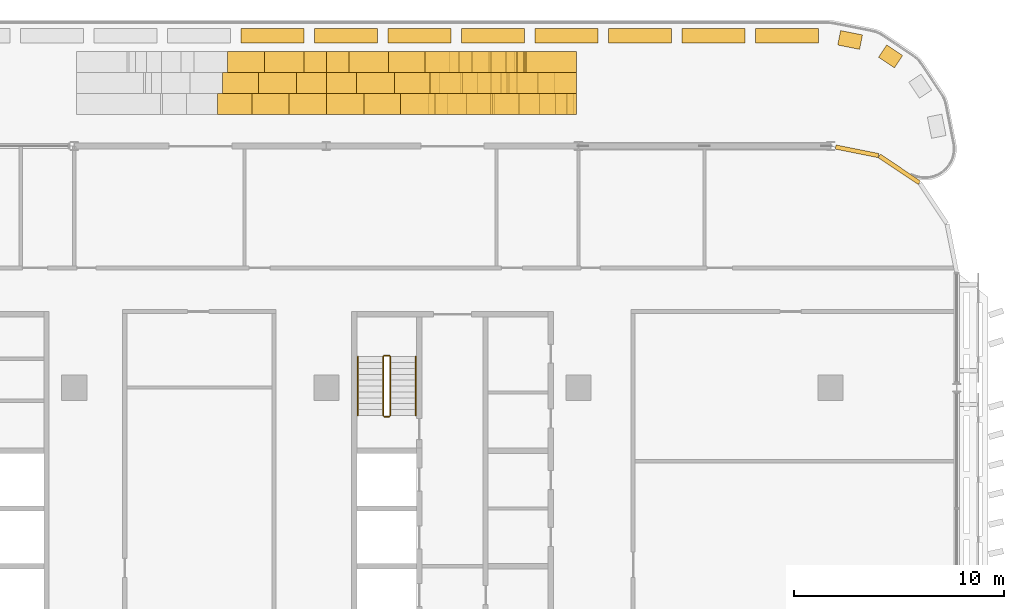
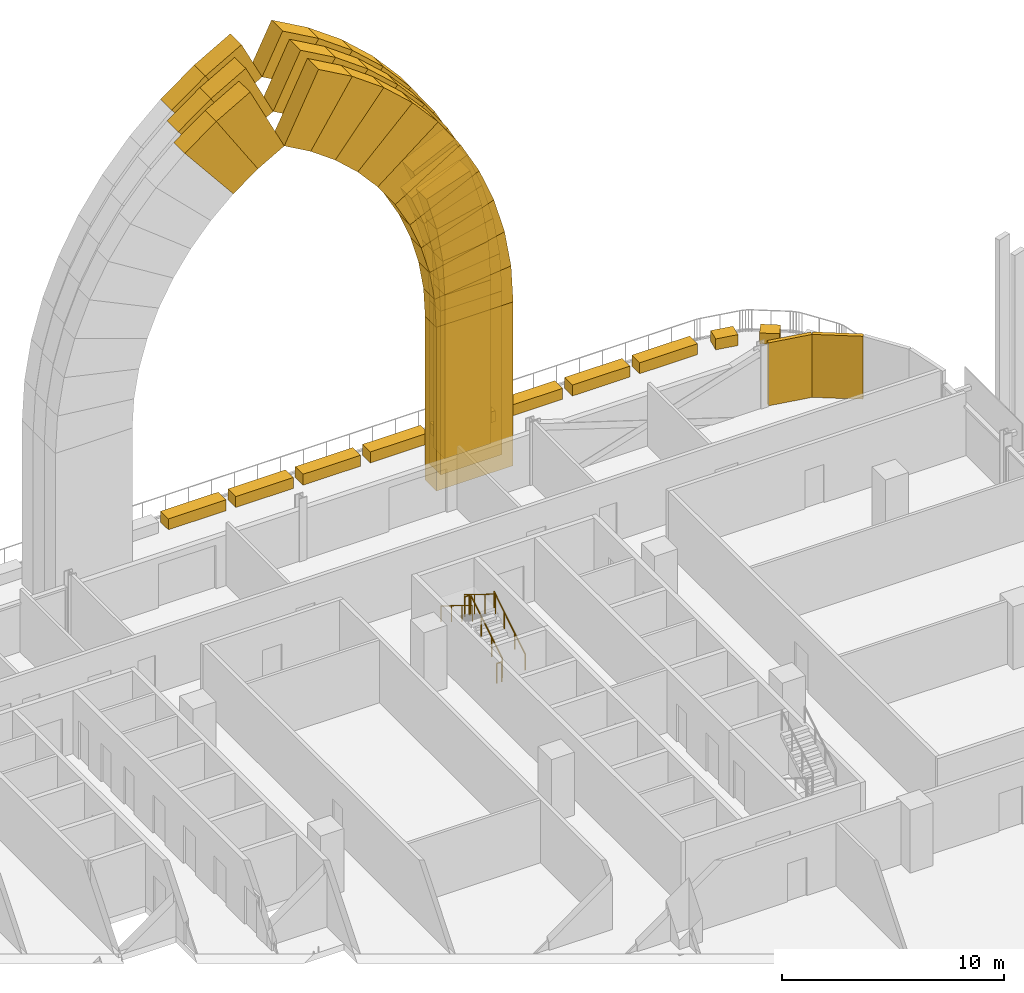
# One storey, part 29 of 30: 51 coverings, 6 railings.
"""IFC4 building model written with IfcOpenShell, lengths in metres."""

import ifcopenshell
import ifcopenshell.guid

model = None  # the IFC model being written
_history = None  # IfcOwnerHistory: only IFC2X3 demands one
_inside = {}  # id of a spatial element -> (the spatial element, [elements in it])
_under = {}  # id of a project, library or spatial element -> (it, [spatial elements below it])
_declared = {}  # id of a project -> (the project, [libraries it declares])
_typed = {}  # id of a type object -> (the type object, [elements of that type])
_made_of = {}  # id of a material, layer set ... -> (it, [elements and type objects made of it])


def new_model(schema):
    """Start an empty IFC model of exactly this schema.

    Asked for "IFC4X3", IfcOpenShell would pick the latest addendum, in which some entities
    have other attributes; the version numbers below select the first issue.
    IFC2X3 requires an IfcOwnerHistory on every rooted entity: one is made here for all.
    """
    global model, _history
    if schema == "IFC4X3":
        model = ifcopenshell.file(schema_version=(4, 3, 0, 0))
    else:
        model = ifcopenshell.file(schema=schema)
    _inside.clear()
    _under.clear()
    _declared.clear()
    _typed.clear()
    _made_of.clear()
    _history = None
    if model.schema == "IFC2X3":
        org = make("IfcOrganization", Name="unknown")
        user = make(
            "IfcPersonAndOrganization",
            ThePerson=make("IfcPerson", FamilyName="unknown"),
            TheOrganization=org,
        )
        app = make(
            "IfcApplication",
            ApplicationDeveloper=org,
            Version="unknown",
            ApplicationFullName="unknown",
            ApplicationIdentifier="unknown",
        )
        _history = make(
            "IfcOwnerHistory",
            OwningUser=user,
            OwningApplication=app,
            ChangeAction="ADDED",
            CreationDate=0,
        )
    return model


def make(cls, **values):
    """One entity of the class cls with the attributes given. An attribute that is None is left unset."""
    return model.create_entity(
        cls, **{name: value for name, value in values.items() if value is not None}
    )


def rooted(cls, **values):
    """An entity with a GlobalId (a new one), such as an element, a storey or a relation."""
    return make(cls, GlobalId=ifcopenshell.guid.new(), OwnerHistory=_history, **values)


def si_unit(unit_type, name, prefix=None):
    """IfcSIUnit, for example si_unit("LENGTHUNIT", "METRE", prefix="MILLI")."""
    return make("IfcSIUnit", UnitType=unit_type, Prefix=prefix, Name=name)


def assignment(units):
    """IfcUnitAssignment: the units of a project."""
    return None if units is None else make("IfcUnitAssignment", Units=units)


def point(xyz):
    """IfcCartesianPoint."""
    return None if xyz is None else make("IfcCartesianPoint", Coordinates=xyz)


def direction(xyz):
    """IfcDirection."""
    return None if xyz is None else make("IfcDirection", DirectionRatios=xyz)


def frame(location, z_axis=None, x_axis=None):
    """IfcAxis2Placement3D, a coordinate frame: its origin and axes. An axis left out is left unset."""
    return make(
        "IfcAxis2Placement3D",
        Location=point(location),
        Axis=direction(z_axis),
        RefDirection=direction(x_axis),
    )


def frame_2d(location, x_axis=None):
    """IfcAxis2Placement2D, a coordinate frame in the plane: its origin and x axis."""
    return make(
        "IfcAxis2Placement2D", Location=point(location), RefDirection=direction(x_axis)
    )


def origin():
    """The frame at (0, 0, 0) with its axes left unset."""
    return frame((0.0, 0.0, 0.0))


def origin_2d():
    """The frame at (0, 0) in the plane with its x axis left unset."""
    return frame_2d((0.0, 0.0))


def place(relative_to, where):
    """IfcLocalPlacement: puts the frame where relative to a parent placement (None: the world)."""
    return make(
        "IfcLocalPlacement", PlacementRelTo=relative_to, RelativePlacement=where
    )


def context(
    kind, dimensions, precision=None, world=None, true_north=None, identifier=None
):
    """IfcGeometricRepresentationContext, for example the 3D "Model" context."""
    return make(
        "IfcGeometricRepresentationContext",
        ContextIdentifier=identifier,
        ContextType=kind,
        CoordinateSpaceDimension=dimensions,
        Precision=precision,
        WorldCoordinateSystem=world,
        TrueNorth=true_north,
    )


def subcontext(parent, identifier, kind, view, scale=None):
    """IfcGeometricRepresentationSubContext, for example "Body" below "Model"."""
    return make(
        "IfcGeometricRepresentationSubContext",
        ContextIdentifier=identifier,
        ContextType=kind,
        ParentContext=parent,
        TargetScale=scale,
        TargetView=view,
    )


def project(units=None, contexts=None):
    """IfcProject with its units and contexts."""
    return rooted(
        "IfcProject",
        Name="project",
        RepresentationContexts=contexts,
        UnitsInContext=assignment(units),
    )


def spatial(cls, under=None, at=None, **own):
    """A site, building, storey or space (cls), placed at a placement, below another one or the project."""
    s = rooted(cls, ObjectPlacement=at, **own)
    if under is not None:
        _under.setdefault(under.id(), (under, []))[1].append(s)
    return s


def polyline(points):
    """IfcPolyline through the points."""
    return make("IfcPolyline", Points=[point(p) for p in points])


def profile(cls, at=None, kind="AREA", **sizes):
    """A parametric profile (cls). Its sizes go by their IFC names, for example OverallWidth=200.0."""
    return make(cls, ProfileType=kind, Position=at, **sizes)


def rectangle(**sizes):
    """IfcRectangleProfileDef."""
    return profile("IfcRectangleProfileDef", **sizes)


def circle(**sizes):
    """IfcCircleProfileDef."""
    return profile("IfcCircleProfileDef", **sizes)


def outline(outer, holes=None, kind="AREA"):
    """IfcArbitraryClosedProfileDef: a profile drawn as a closed curve; with holes, ...WithVoids."""
    if holes is None:
        return make("IfcArbitraryClosedProfileDef", ProfileType=kind, OuterCurve=outer)
    return make(
        "IfcArbitraryProfileDefWithVoids",
        ProfileType=kind,
        OuterCurve=outer,
        InnerCurves=holes,
    )


def extrude(swept, where, along, depth):
    """IfcExtrudedAreaSolid: the profile swept, set in the frame where, extruded along a direction by depth."""
    return make(
        "IfcExtrudedAreaSolid",
        SweptArea=swept,
        Position=where,
        ExtrudedDirection=direction(along),
        Depth=depth,
    )


def shape(context_of_items, identifier, shape_type, items):
    """IfcShapeRepresentation: the items that make up one representation, for example the "Body"."""
    return make(
        "IfcShapeRepresentation",
        ContextOfItems=context_of_items,
        RepresentationIdentifier=identifier,
        RepresentationType=shape_type,
        Items=items,
    )


def material(Name=None, Category=None):
    """IfcMaterial."""
    return make("IfcMaterial", Name=Name, Category=Category)


def layer(
    of_material, thickness, ventilated=None, Name=None, Category=None, Priority=None
):
    """IfcMaterialLayer: one layer of a wall or slab, of a material (None: an air gap)."""
    return make(
        "IfcMaterialLayer",
        Material=of_material,
        LayerThickness=thickness,
        IsVentilated=ventilated,
        Name=Name,
        Category=Category,
        Priority=Priority,
    )


def layer_set(layers, Name=None):
    """IfcMaterialLayerSet."""
    return make("IfcMaterialLayerSet", MaterialLayers=layers, LayerSetName=Name)


def made_of(thing, what):
    """Note that an element or type object is made of a material, layer set ...; save() writes the relation."""
    if what is not None:
        _made_of.setdefault(what.id(), (what, []))[1].append(thing)
    return thing


def type_object(cls, material=None, **own):
    """A type object (cls), such as IfcWallType, which elements share."""
    return made_of(rooted(cls, **own), material)


def element(
    cls,
    number,
    at=None,
    inside=None,
    cuts=None,
    type_object=None,
    material=None,
    context=None,
    identifier="Body",
    shape_type=None,
    held_by="IfcProductDefinitionShape",
    body=None,
    shapes=None,
    **own,
):
    """One element of the class cls, such as IfcWall. Its Tag is "e" and its number.

    at: its placement. inside: the storey or other place that contains it. cuts: it is an
    opening in that element (IfcRelVoidsElement). A single representation is given by context,
    identifier, shape_type and body (its items); several are given by shapes. held_by: the class
    of the entity that holds the representations. save() writes the other relations.
    """
    e = rooted(cls, Tag="e%d" % number, ObjectPlacement=at, **own)
    if body is not None:
        shapes = [shape(context, identifier, shape_type, body)]
    if shapes is not None:
        e.Representation = make(held_by, Representations=shapes)
    if inside is not None:
        _inside.setdefault(inside.id(), (inside, []))[1].append(e)
    if cuts is not None:
        rooted(
            "IfcRelVoidsElement", RelatingBuildingElement=cuts, RelatedOpeningElement=e
        )
    if type_object is not None:
        _typed.setdefault(type_object.id(), (type_object, []))[1].append(e)
    return made_of(e, material)


def aggregate(whole, parts):
    """IfcRelAggregates: a whole, such as a stair, and the parts it consists of."""
    return rooted("IfcRelAggregates", RelatingObject=whole, RelatedObjects=parts)


def save(model, path):
    """Write the relations noted so far, then the file.

    IfcRelAggregates (storeys below a building ...), IfcRelContainedInSpatialStructure (elements
    in a storey), IfcRelDefinesByType, IfcRelAssociatesMaterial and IfcRelDeclares: one each for
    every whole, place, type object, material and project.
    """
    for whole, parts in _under.values():
        aggregate(whole, parts)
    for where, things in _inside.values():
        rooted(
            "IfcRelContainedInSpatialStructure",
            RelatedElements=things,
            RelatingStructure=where,
        )
    for kind, things in _typed.values():
        rooted("IfcRelDefinesByType", RelatedObjects=things, RelatingType=kind)
    for what, things in _made_of.values():
        rooted("IfcRelAssociatesMaterial", RelatedObjects=things, RelatingMaterial=what)
    for by, libraries in _declared.values():
        rooted("IfcRelDeclares", RelatingContext=by, RelatedDefinitions=libraries)
    model.write(path)


model = new_model("IFC4")

# Units and contexts
model_context = context("Model", 3, precision=1e-05, world=origin(), true_north=direction((0.0, 1.0)))
body_context = subcontext(model_context, "Body", "Model", "MODEL_VIEW")
ifc_project = project(units=[si_unit("LENGTHUNIT", "METRE"), si_unit("AREAUNIT", "SQUARE_METRE"), si_unit("VOLUMEUNIT", "CUBIC_METRE"), si_unit("PLANEANGLEUNIT", "RADIAN"), si_unit("MASSUNIT", "GRAM", prefix="KILO")], contexts=[model_context])

# Site, building, storey
site_placement = place(None, origin())
site = spatial("IfcSite", under=ifc_project, at=site_placement, CompositionType="ELEMENT")
building_placement = place(site_placement, origin())
building = spatial("IfcBuilding", under=site, at=building_placement, Name="Mahtab Terrace Research Tower", CompositionType="ELEMENT")
storey_placement = place(building_placement, frame((0.0, 0.0, 159.199951171875)))
storey = spatial("IfcBuildingStorey", under=building, at=storey_placement, Name="L37", CompositionType="ELEMENT", Elevation=159.199951171875)

# Coverings
ifc_material_1 = material(Name="Black aluminium cladding panel", Category="aluminium")
ifc_layer_1 = layer(ifc_material_1, 0.199951171875)
ifc_layer_set_1 = layer_set([ifc_layer_1], Name="Black metal corner cladding 200")
covering_type_1 = type_object("IfcCoveringType", Name="Black metal corner cladding 200", PredefinedType="CLADDING", material=ifc_layer_set_1)
covering_1_placement = place(storey_placement, frame((45.26953125, 21.89306640625, 0.0), z_axis=(0.0, 0.0, 1.0), x_axis=(-0.831655794326, 0.555291490808, 0.0)))
element("IfcCovering", 1, at=covering_1_placement, inside=storey, type_object=covering_type_1, Name="Corner cladding L37 1", PredefinedType="CLADDING", context=body_context, shape_type="SweptSolid", body=[
    extrude(rectangle(XDim=2.30126953125, YDim=0.199951171875, at=origin_2d()), origin(), (0.0, 0.0, 1.0), 3.4599609375),
])
covering_2_placement = place(storey_placement, frame((43.25830078125, 22.74951171875, 0.0), z_axis=(0.0, 0.0, 1.0), x_axis=(-0.980760981187, 0.195212442692, 0.0)))
element("IfcCovering", 2, at=covering_2_placement, inside=storey, type_object=covering_type_1, Name="Corner cladding L37 2", PredefinedType="CLADDING", context=body_context, shape_type="SweptSolid", body=[
    extrude(rectangle(XDim=2.07666015625, YDim=0.199951171875, at=origin_2d()), origin(), (0.0, 0.0, 1.0), 3.4599609375),
])
ifc_material_2 = material(Name="Glazed ceramic tile cladding", Category="masonry")
ifc_layer_2 = layer(ifc_material_2, 1.0)
ifc_layer_set_2 = layer_set([ifc_layer_2], Name="Iwan portal cladding arch course 800")
covering_type_2 = type_object("IfcCoveringType", Name="Iwan portal cladding arch course 800", PredefinedType="CLADDING", material=ifc_layer_set_2)
covering_3_placement = place(storey_placement, frame((29.89990234375, 24.5, 9.030029296875), z_axis=(0.0, -1.0, 0.0), x_axis=(-0.055296161854, 0.0, 0.998469996787)))
element("IfcCovering", 3, at=covering_3_placement, inside=storey, type_object=covering_type_2, Name="Iwan portal arch course 4.1.1W1", PredefinedType="CLADDING", context=body_context, shape_type="SweptSolid", body=[
    extrude(outline(polyline([(0.0, 0.0), (2.0221368446189487, 1.3877787807814457e-17), (1.7995612215177519, 3.9944933841408163), (0.2211846474140491, 3.9938799871488784), (0.0, 0.0)])), origin(), (0.0, 0.0, -1.0), 1.0),
])
covering_4_placement = place(storey_placement, frame((29.7880859375, 24.5, 11.049072265625), z_axis=(0.0, -1.0, 0.0), x_axis=(-0.165789075114, 0.0, 0.986161235586)))
element("IfcCovering", 4, at=covering_4_placement, inside=storey, type_object=covering_type_2, Name="Iwan portal arch course 4.1.1W2", PredefinedType="CLADDING", context=body_context, shape_type="SweptSolid", body=[
    extrude(outline(polyline([(0.0, 0.0), (2.0218767605380337, 0.0), (1.800092400304757, 3.9938954712280084), (0.22220660027469769, 3.9945139292206755), (0.0, 0.0)])), origin(), (0.0, 0.0, -1.0), 1.0),
])
covering_5_placement = place(storey_placement, frame((29.452880859375, 24.5, 13.04296875), z_axis=(0.0, -1.0, 0.0), x_axis=(-0.274035155459, 0.0, 0.961719675151)))
element("IfcCovering", 5, at=covering_5_placement, inside=storey, type_object=covering_type_2, Name="Iwan portal arch course 4.1.1W3", PredefinedType="CLADDING", context=body_context, shape_type="SweptSolid", body=[
    extrude(outline(polyline([(0.0, 0.0), (2.021474497305653, 0.0), (1.7995722593002155, 3.994734612307796), (0.2221057779775879, 3.9938776096581434), (0.0, 0.0)])), origin(), (0.0, 0.0, -1.0), 1.0),
])
covering_6_placement = place(storey_placement, frame((28.89892578125, 24.5, 14.987060546875), z_axis=(0.0, -1.0, 0.0), x_axis=(-0.378811514773, 0.0, 0.925473844188)))
element("IfcCovering", 6, at=covering_6_placement, inside=storey, type_object=covering_type_2, Name="Iwan portal arch course 4.1.1W4", PredefinedType="CLADDING", context=body_context, shape_type="SweptSolid", body=[
    extrude(outline(polyline([(0.0, 0.0), (2.0217683749259554, -1.1102230246251565e-16), (1.8000781697284314, 3.9936724009308646), (0.2216711601867296, 3.994747441671777), (0.0, 0.0)])), origin(), (0.0, 0.0, -1.0), 1.0),
])
covering_7_placement = place(storey_placement, frame((28.133056640625, 24.5, 16.858154296875), z_axis=(0.0, -1.0, 0.0), x_axis=(-0.479181992856, 0.0, 0.877715567666)))
element("IfcCovering", 7, at=covering_7_placement, inside=storey, type_object=covering_type_2, Name="Iwan portal arch course 4.1.1W5", PredefinedType="CLADDING", context=body_context, shape_type="SweptSolid", body=[
    extrude(outline(polyline([(0.0, 0.0), (2.0221839615660158, 0.0), (1.800859419405993, 3.993576947003682), (0.22290359732542653, 3.993604860190452), (0.0, 0.0)])), origin(), (0.0, 0.0, -1.0), 1.0),
])
covering_8_placement = place(storey_placement, frame((27.1640625, 24.5, 18.633056640625), z_axis=(0.0, -1.0, 0.0), x_axis=(-0.573454238425, 0.0, 0.819237594616)))
element("IfcCovering", 8, at=covering_8_placement, inside=storey, type_object=covering_type_2, Name="Iwan portal arch course 4.1.1W6", PredefinedType="CLADDING", context=body_context, shape_type="SweptSolid", body=[
    extrude(outline(polyline([(0.0, 0.0), (2.021398761797615, 0.0), (1.7996906074190315, 3.993853422925636), (0.22238915275312632, 3.9935178038089854), (0.0, 0.0)])), origin(), (0.0, 0.0, -1.0), 1.0),
])
covering_9_placement = place(storey_placement, frame((26.0048828125, 24.5, 20.2890625), z_axis=(0.0, -1.0, 0.0), x_axis=(-0.660638781276, 0.0, 0.750703936765)))
element("IfcCovering", 9, at=covering_9_placement, inside=storey, type_object=covering_type_2, Name="Iwan portal arch course 4.1.1W7", PredefinedType="CLADDING", context=body_context, shape_type="SweptSolid", body=[
    extrude(outline(polyline([(0.0, 0.0), (2.022190549303166, 0.0), (1.8005093992651409, 3.994253658727511), (0.221877632294462, 3.993844011202764), (0.0, 0.0)])), origin(), (0.0, 0.0, -1.0), 1.0),
])
covering_10_placement = place(storey_placement, frame((24.6689453125, 24.5, 21.80712890625), z_axis=(0.0, -1.0, 0.0), x_axis=(-0.739699662976, 0.0, 0.672937150552)))
element("IfcCovering", 10, at=covering_10_placement, inside=storey, type_object=covering_type_2, Name="Iwan portal arch course 4.1.1W8", PredefinedType="CLADDING", context=body_context, shape_type="SweptSolid", body=[
    extrude(outline(polyline([(0.0, 0.0), (2.0222391387283714, 2.220446049250313e-16), (1.7998448723090423, 3.9939811928792515), (0.22195400465109438, 3.9942385059432324), (0.0, 0.0)])), origin(), (0.0, 0.0, -1.0), 1.0),
])
covering_11_placement = place(storey_placement, frame((23.173095703125, 24.5, 23.16796875), z_axis=(0.0, -1.0, 0.0), x_axis=(-0.809831329912, 0.0, 0.586662779707)))
element("IfcCovering", 11, at=covering_11_placement, inside=storey, type_object=covering_type_2, Name="Iwan portal arch course 4.1.1W9", PredefinedType="CLADDING", context=body_context, shape_type="SweptSolid", body=[
    extrude(outline(polyline([(0.0, 0.0), (2.021664229053727, -1.1102230246251565e-16), (1.8004505170011869, 3.9937153592275667), (0.22235747398698358, 3.993983241398427), (0.0, 0.0)])), origin(), (0.0, 0.0, -1.0), 1.0),
])
covering_12_placement = place(storey_placement, frame((21.535888671875, 24.5, 24.35400390625), z_axis=(0.0, -1.0, 0.0), x_axis=(-0.869607431384, 0.0, 0.49374377493)))
element("IfcCovering", 12, at=covering_12_placement, inside=storey, type_object=covering_type_2, Name="Iwan portal arch course 4.1.1W10", PredefinedType="CLADDING", context=body_context, shape_type="SweptSolid", body=[
    extrude(outline(polyline([(0.0, 0.0), (2.0213862445988684, 0.0), (1.7980445226247266, 3.99457348767793), (0.22071171620903285, 3.993743133359769), (0.0, 0.0)])), origin(), (0.0, 0.0, -1.0), 1.0),
])
covering_13_placement = place(storey_placement, frame((15.35009765625, 24.5, 20.06396484375), z_axis=(0.0, -1.0, 0.0), x_axis=(0.809731731913, 0.0, 0.58680024057)))
element("IfcCovering", 13, at=covering_13_placement, inside=storey, type_object=covering_type_2, Name="Iwan portal arch course 4.1.1E9", PredefinedType="CLADDING", context=body_context, shape_type="SweptSolid", body=[
    extrude(outline(polyline([(0.0, 0.0), (1.5780930657507766, -1.1102230246251565e-16), (1.7999847100075732, 3.993677750537623), (-0.22167948991877306, 3.994020929158823), (0.0, 0.0)])), origin(), (0.0, 0.0, -1.0), 1.0),
])
covering_14_placement = place(storey_placement, frame((16.6279296875, 24.5, 20.989990234375), z_axis=(0.0, -1.0, 0.0), x_axis=(0.869867232077, 0.0, 0.493285919685)))
element("IfcCovering", 14, at=covering_14_placement, inside=storey, type_object=covering_type_2, Name="Iwan portal arch course 4.1.1E10", PredefinedType="CLADDING", context=body_context, shape_type="SweptSolid", body=[
    extrude(outline(polyline([(0.0, 0.0), (1.5773330249771298, 0.0), (1.798571855484428, 3.994690507800268), (-0.22281410902325272, 3.9936263908571137), (0.0, 0.0)])), origin(), (0.0, 0.0, -1.0), 1.0),
])
covering_15_placement = place(storey_placement, frame((29.89990234375, 25.5, 9.030029296875), z_axis=(0.0, -1.0, 0.0), x_axis=(-0.055398965263, 0.0, 0.998464298134)))
element("IfcCovering", 15, at=covering_15_placement, inside=storey, type_object=covering_type_2, Name="Iwan portal arch course 4.1.2W1", PredefinedType="CLADDING", context=body_context, shape_type="SweptSolid", body=[
    extrude(outline(polyline([(0.0, 0.0), (2.0933025793025504, -1.3877787807814457e-17), (1.9150321772174628, 3.1947137643273136), (0.17727398381288292, 3.195037000888612), (0.0, 0.0)])), origin(), (0.0, 0.0, -1.0), 1.0),
])
covering_16_placement = place(storey_placement, frame((29.783935546875, 25.5, 11.1201171875), z_axis=(0.0, -1.0, 0.0), x_axis=(-0.165760807671, 0.0, 0.986165987367)))
element("IfcCovering", 16, at=covering_16_placement, inside=storey, type_object=covering_type_2, Name="Iwan portal arch course 4.1.2W2", PredefinedType="CLADDING", context=body_context, shape_type="SweptSolid", body=[
    extrude(outline(polyline([(0.0, 0.0), (2.0929183019785715, 0.0), (1.9149492574831262, 3.1947908191059957), (0.17703837262699557, 3.194782275345154), (0.0, 0.0)])), origin(), (0.0, 0.0, -1.0), 1.0),
])
covering_17_placement = place(storey_placement, frame((29.43701171875, 25.5, 13.18408203125), z_axis=(0.0, -1.0, 0.0), x_axis=(-0.274335812011, 0.0, 0.961633954396)))
element("IfcCovering", 17, at=covering_17_placement, inside=storey, type_object=covering_type_2, Name="Iwan portal arch course 4.1.2W3", PredefinedType="CLADDING", context=body_context, shape_type="SweptSolid", body=[
    extrude(outline(polyline([(0.0, 0.0), (2.092233621147335, 0.0), (1.9160333054586167, 3.194837103957659), (0.17820072276780108, 3.1947779048077214), (0.0, 0.0)])), origin(), (0.0, 0.0, -1.0), 1.0),
])
covering_18_placement = place(storey_placement, frame((28.863037109375, 25.5, 15.196044921875), z_axis=(0.0, -1.0, 0.0), x_axis=(-0.378460216708, 0.0, 0.925617558373)))
element("IfcCovering", 18, at=covering_18_placement, inside=storey, type_object=covering_type_2, Name="Iwan portal arch course 4.1.2W4", PredefinedType="CLADDING", context=body_context, shape_type="SweptSolid", body=[
    extrude(outline(polyline([(0.0, 0.0), (2.0926695925625394, 1.1102230246251565e-16), (1.9137472186937292, 3.1955440909485455), (0.176333648456256, 3.1948297476540857), (0.0, 0.0)])), origin(), (0.0, 0.0, -1.0), 1.0),
])
covering_19_placement = place(storey_placement, frame((28.071044921875, 25.5, 17.133056640625), z_axis=(0.0, -1.0, 0.0), x_axis=(-0.479211709559, 0.0, 0.877699343409)))
element("IfcCovering", 19, at=covering_19_placement, inside=storey, type_object=covering_type_2, Name="Iwan portal arch course 4.1.2W5", PredefinedType="CLADDING", context=body_context, shape_type="SweptSolid", body=[
    extrude(outline(polyline([(0.0, 0.0), (2.0928739166703525, 0.0), (1.9166007727071994, 3.1954985718954947), (0.17815076066497704, 3.195587201054214), (0.0, 0.0)])), origin(), (0.0, 0.0, -1.0), 1.0),
])
covering_20_placement = place(storey_placement, frame((27.068115234375, 25.5, 18.969970703125), z_axis=(0.0, -1.0, 0.0), x_axis=(-0.573344927392, 0.0, 0.819314099863)))
element("IfcCovering", 20, at=covering_20_placement, inside=storey, type_object=covering_type_2, Name="Iwan portal arch course 4.1.2W6", PredefinedType="CLADDING", context=body_context, shape_type="SweptSolid", body=[
    extrude(outline(polyline([(0.0, 0.0), (2.093321585594408, -1.1102230246251565e-16), (1.9151567027040761, 3.1953790041052303), (0.17822900569924838, 3.1953900803808377), (0.0, 0.0)])), origin(), (0.0, 0.0, -1.0), 1.0),
])
covering_21_placement = place(storey_placement, frame((25.867919921875, 25.5, 20.68505859375), z_axis=(0.0, -1.0, 0.0), x_axis=(-0.660706780024, 0.0, 0.750644090652)))
element("IfcCovering", 21, at=covering_21_placement, inside=storey, type_object=covering_type_2, Name="Iwan portal arch course 4.1.2W7", PredefinedType="CLADDING", context=body_context, shape_type="SweptSolid", body=[
    extrude(outline(polyline([(0.0, 0.0), (2.092929181005768, -2.220446049250313e-16), (1.9154543188204418, 3.194942495346477), (0.17745726212947854, 3.195418380351682), (0.0, 0.0)])), origin(), (0.0, 0.0, -1.0), 1.0),
])
covering_22_placement = place(storey_placement, frame((24.485107421875, 25.5, 22.256103515625), z_axis=(0.0, -1.0, 0.0), x_axis=(-0.739797520114, 0.0, 0.672829569232)))
element("IfcCovering", 22, at=covering_22_placement, inside=storey, type_object=covering_type_2, Name="Iwan portal arch course 4.1.2W8", PredefinedType="CLADDING", context=body_context, shape_type="SweptSolid", body=[
    extrude(outline(polyline([(0.0, 0.0), (2.0925937990246384, 0.0), (1.914978950923289, 3.1946655270588384), (0.1775583081173664, 3.194937858941387), (0.0, 0.0)])), origin(), (0.0, 0.0, -1.0), 1.0),
])
covering_23_placement = place(storey_placement, frame((22.93701171875, 25.5, 23.6640625), z_axis=(0.0, -1.0, 0.0), x_axis=(-0.809653414077, 0.0, 0.586908296989)))
element("IfcCovering", 23, at=covering_23_placement, inside=storey, type_object=covering_type_2, Name="Iwan portal arch course 4.1.2W9", PredefinedType="CLADDING", context=body_context, shape_type="SweptSolid", body=[
    extrude(outline(polyline([(0.0, 0.0), (2.0923666440748017, 1.1102230246251565e-16), (1.9151672206743875, 3.195394785694258), (0.17669378427270233, 3.1947166025554727), (0.0, 0.0)])), origin(), (0.0, 0.0, -1.0), 1.0),
])
covering_24_placement = place(storey_placement, frame((21.242919921875, 25.5, 24.89208984375), z_axis=(0.0, -1.0, 0.0), x_axis=(-0.869781968609, 0.0, 0.493436244192)))
element("IfcCovering", 24, at=covering_24_placement, inside=storey, type_object=covering_type_2, Name="Iwan portal arch course 4.1.2W10", PredefinedType="CLADDING", context=body_context, shape_type="SweptSolid", body=[
    extrude(outline(polyline([(0.0, 0.0), (2.0933990896151746, -1.1102230246251565e-16), (1.9156789117830235, 3.1953407665517783), (0.1784876869098686, 3.195323085028657), (0.0, 0.0)])), origin(), (0.0, 0.0, -1.0), 1.0),
])
covering_25_placement = place(storey_placement, frame((15.0810546875, 25.5, 21.18115234375), z_axis=(0.0, -1.0, 0.0), x_axis=(0.809882306949, 0.0, 0.586592404392)))
element("IfcCovering", 25, at=covering_25_placement, inside=storey, type_object=covering_type_2, Name="Iwan portal arch course 4.1.2E9", PredefinedType="CLADDING", context=body_context, shape_type="SweptSolid", body=[
    extrude(outline(polyline([(0.0, 0.0), (1.7384735686822086, -1.1102230246251565e-16), (1.9144264466392573, 3.1954636685204423), (-0.17794003822728244, 3.1946474307566186), (0.0, 0.0)])), origin(), (0.0, 0.0, -1.0), 1.0),
])
covering_26_placement = place(storey_placement, frame((16.489013671875, 25.5, 22.200927734375), z_axis=(0.0, -1.0, 0.0), x_axis=(0.869786990869, 0.0, 0.49342739133)))
element("IfcCovering", 26, at=covering_26_placement, inside=storey, type_object=covering_type_2, Name="Iwan portal arch course 4.1.2E10", PredefinedType="CLADDING", context=body_context, shape_type="SweptSolid", body=[
    extrude(outline(polyline([(0.0, 0.0), (1.737191224963138, 0.0), (1.9148788798888727, 3.1953425752622193), (-0.17852020961786774, 3.195321268175312), (0.0, 0.0)])), origin(), (0.0, 0.0, -1.0), 1.0),
])
covering_27_placement = place(storey_placement, frame((29.89990234375, 26.5, 9.030029296875), z_axis=(0.0, -1.0, 0.0), x_axis=(-0.055382559563, 0.0, 0.998465208255)))
element("IfcCovering", 27, at=covering_27_placement, inside=storey, type_object=covering_type_2, Name="Iwan portal arch course 4.1.3W1", PredefinedType="CLADDING", context=body_context, shape_type="SweptSolid", body=[
    extrude(outline(polyline([(0.0, 0.0), (2.164454799858675, 0.0), (2.030837892479412, 2.3960873069749904), (0.1329127344985675, 2.3962189934446427), (0.0, 0.0)])), origin(), (0.0, 0.0, -1.0), 1.0),
])
covering_28_placement = place(storey_placement, frame((29.780029296875, 26.5, 11.191162109375), z_axis=(0.0, -1.0, 0.0), x_axis=(-0.166046193006, 0.0, 0.986117975593)))
element("IfcCovering", 28, at=covering_28_placement, inside=storey, type_object=covering_type_2, Name="Iwan portal arch course 4.1.3W2", PredefinedType="CLADDING", context=body_context, shape_type="SweptSolid", body=[
    extrude(outline(polyline([(0.0, 0.0), (2.1628370568102615, -5.551115123125783e-17), (2.031016704101731, 2.3959694871258055), (0.1336027016786996, 2.396088099108297), (0.0, 0.0)])), origin(), (0.0, 0.0, -1.0), 1.0),
])
covering_29_placement = place(storey_placement, frame((29.4208984375, 26.5, 13.323974609375), z_axis=(0.0, -1.0, 0.0), x_axis=(-0.274050500896, 0.0, 0.961715302446)))
element("IfcCovering", 29, at=covering_29_placement, inside=storey, type_object=covering_type_2, Name="Iwan portal arch course 4.1.3W3", PredefinedType="CLADDING", context=body_context, shape_type="SweptSolid", body=[
    extrude(outline(polyline([(0.0, 0.0), (2.163898902520856, 1.1102230246251565e-16), (2.0314739187984725, 2.3958373053704713), (0.13387883757490115, 2.3958553473604565), (0.0, 0.0)])), origin(), (0.0, 0.0, -1.0), 1.0),
])
covering_30_placement = place(storey_placement, frame((28.827880859375, 26.5, 15.405029296875), z_axis=(0.0, -1.0, 0.0), x_axis=(-0.378808539518, 0.0, 0.925475062002)))
element("IfcCovering", 30, at=covering_30_placement, inside=storey, type_object=covering_type_2, Name="Iwan portal arch course 4.1.3W4", PredefinedType="CLADDING", context=body_context, shape_type="SweptSolid", body=[
    extrude(outline(polyline([(0.0, 0.0), (2.164217891691568, -1.1102230246251565e-16), (2.0309228257550145, 2.3960510529094714), (0.13355764147733928, 2.3957744314775806), (0.0, 0.0)])), origin(), (0.0, 0.0, -1.0), 1.0),
])
covering_31_placement = place(storey_placement, frame((28.008056640625, 26.5, 17.407958984375), z_axis=(0.0, -1.0, 0.0), x_axis=(-0.478931194923, 0.0, 0.877852442344)))
element("IfcCovering", 31, at=covering_31_placement, inside=storey, type_object=covering_type_2, Name="Iwan portal arch course 4.1.3W5", PredefinedType="CLADDING", context=body_context, shape_type="SweptSolid", body=[
    extrude(outline(polyline([(0.0, 0.0), (2.163427280334112, 0.0), (2.029862267773571, 2.39676671394508), (0.13276914602540124, 2.3960802525406577), (0.0, 0.0)])), origin(), (0.0, 0.0, -1.0), 1.0),
])
covering_32_placement = place(storey_placement, frame((26.971923828125, 26.5, 19.30712890625), z_axis=(0.0, -1.0, 0.0), x_axis=(-0.573432058413, 0.0, 0.81925311985)))
element("IfcCovering", 32, at=covering_32_placement, inside=storey, type_object=covering_type_2, Name="Iwan portal arch course 4.1.3W6", PredefinedType="CLADDING", context=body_context, shape_type="SweptSolid", body=[
    extrude(outline(polyline([(0.0, 0.0), (2.1641043235510695, 0.0), (2.0312705661066603, 2.3962484585260464), (0.13335659498022423, 2.396778319375965), (0.0, 0.0)])), origin(), (0.0, 0.0, -1.0), 1.0),
])
covering_33_placement = place(storey_placement, frame((25.73095703125, 26.5, 21.080078125), z_axis=(0.0, -1.0, 0.0), x_axis=(-0.66035571194, 0.0, 0.750952950396)))
element("IfcCovering", 33, at=covering_33_placement, inside=storey, type_object=covering_type_2, Name="Iwan portal arch course 4.1.3W7", PredefinedType="CLADDING", context=body_context, shape_type="SweptSolid", body=[
    extrude(outline(polyline([(0.0, 0.0), (2.1639171923387517, -2.220446049250313e-16), (2.0298115256493445, 2.3962818736543072), (0.1324709660335739, 2.396268541975917), (0.0, 0.0)])), origin(), (0.0, 0.0, -1.0), 1.0),
])
covering_34_placement = place(storey_placement, frame((24.302001953125, 26.5, 22.705078125), z_axis=(0.0, -1.0, 0.0), x_axis=(-0.739817550942, 0.0, 0.672807544041)))
element("IfcCovering", 34, at=covering_34_placement, inside=storey, type_object=covering_type_2, Name="Iwan portal arch course 4.1.3W8", PredefinedType="CLADDING", context=body_context, shape_type="SweptSolid", body=[
    extrude(outline(polyline([(0.0, 0.0), (2.164147385677936, 0.0), (2.030703602674431, 2.3968816679285494), (0.1333755342738987, 2.396322623249958), (0.0, 0.0)])), origin(), (0.0, 0.0, -1.0), 1.0),
])
covering_35_placement = place(storey_placement, frame((22.700927734375, 26.5, 24.1611328125), z_axis=(0.0, -1.0, 0.0), x_axis=(-0.809910691067, 0.0, 0.586553213695)))
element("IfcCovering", 35, at=covering_35_placement, inside=storey, type_object=covering_type_2, Name="Iwan portal arch course 4.1.3W9", PredefinedType="CLADDING", context=body_context, shape_type="SweptSolid", body=[
    extrude(outline(polyline([(0.0, 0.0), (2.1631435963543058, 0.0), (2.0317159781850225, 2.396230837826445), (0.133366362695289, 2.3968859769658755), (0.0, 0.0)])), origin(), (0.0, 0.0, -1.0), 1.0),
])
covering_36_placement = place(storey_placement, frame((20.948974609375, 26.5, 25.429931640625), z_axis=(0.0, -1.0, 0.0), x_axis=(-0.869704239566, 0.0, 0.493573232339)))
element("IfcCovering", 36, at=covering_36_placement, inside=storey, type_object=covering_type_2, Name="Iwan portal arch course 4.1.3W10", PredefinedType="CLADDING", context=body_context, shape_type="SweptSolid", body=[
    extrude(outline(polyline([(0.0, 0.0), (2.1640461118883225, 0.0), (2.0307945598684185, 2.396369765365351), (0.13386559898652017, 2.3960958762904414), (0.0, 0.0)])), origin(), (0.0, 0.0, -1.0), 1.0),
])
covering_37_placement = place(storey_placement, frame((14.81298828125, 26.5, 22.298095703125), z_axis=(0.0, -1.0, 0.0), x_axis=(0.80970821756, 0.0, 0.586832686901)))
element("IfcCovering", 37, at=covering_37_placement, inside=storey, type_object=covering_type_2, Name="Iwan portal arch course 4.1.3E9", PredefinedType="CLADDING", context=body_context, shape_type="SweptSolid", body=[
    extrude(outline(polyline([(0.0, 0.0), (1.8983497285372133, 0.0), (2.030604301681025, 2.3961853381678617), (-0.13253916585722125, 2.3969318602722325), (0.0, 0.0)])), origin(), (0.0, 0.0, -1.0), 1.0),
])
covering_38_placement = place(storey_placement, frame((16.35009765625, 26.5, 23.412109375), z_axis=(0.0, -1.0, 0.0), x_axis=(0.869775495327, 0.0, 0.493447654496)))
element("IfcCovering", 38, at=covering_38_placement, inside=storey, type_object=covering_type_2, Name="Iwan portal arch course 4.1.3E10", PredefinedType="CLADDING", context=body_context, shape_type="SweptSolid", body=[
    extrude(outline(polyline([(0.0, 0.0), (1.8969289806547072, 0.0), (2.0298345301939555, 2.3963889799810407), (-0.13421155913724037, 2.39607652306057), (0.0, 0.0)])), origin(), (0.0, 0.0, -1.0), 1.0),
])
ifc_layer_3 = layer(ifc_material_2, 1.0)
ifc_layer_set_3 = layer_set([ifc_layer_3], Name="Iwan portal cladding pilaster 900")
covering_type_3 = type_object("IfcCoveringType", Name="Iwan portal cladding pilaster 900", PredefinedType="CLADDING", material=ifc_layer_set_3)
covering_39_placement = place(storey_placement, frame((27.89990234375, 25.0, 0.030029296875), z_axis=(0.0, 0.0, 1.0), x_axis=(-1.0, 0.0, 0.0)))
element("IfcCovering", 39, at=covering_39_placement, inside=storey, type_object=covering_type_3, Name="Iwan portal pilaster 4.1.1W", PredefinedType="CLADDING", context=body_context, shape_type="SweptSolid", body=[
    extrude(rectangle(XDim=4.0, YDim=1.0, at=origin_2d()), origin(), (0.0, 0.0, 1.0), 9.0),
])
covering_40_placement = place(storey_placement, frame((28.300048828125, 26.0, 0.030029296875), z_axis=(0.0, 0.0, 1.0), x_axis=(-1.0, 0.0, 0.0)))
element("IfcCovering", 40, at=covering_40_placement, inside=storey, type_object=covering_type_3, Name="Iwan portal pilaster 4.1.2W", PredefinedType="CLADDING", context=body_context, shape_type="SweptSolid", body=[
    extrude(rectangle(XDim=3.199951171875, YDim=1.0, at=origin_2d()), origin(), (0.0, 0.0, 1.0), 9.0),
])
covering_41_placement = place(storey_placement, frame((28.699951171875, 27.0, 0.030029296875), z_axis=(0.0, 0.0, 1.0), x_axis=(-1.0, 0.0, 0.0)))
element("IfcCovering", 41, at=covering_41_placement, inside=storey, type_object=covering_type_3, Name="Iwan portal pilaster 4.1.3W", PredefinedType="CLADDING", context=body_context, shape_type="SweptSolid", body=[
    extrude(rectangle(XDim=2.39990234375, YDim=1.0, at=origin_2d()), origin(), (0.0, 0.0, 1.0), 9.0),
])
ifc_material_3 = material(Name="Planting soil and shrubs")
ifc_layer_4 = layer(ifc_material_3, 0.1201171875)
ifc_layer_set_4 = layer_set([ifc_layer_4], Name="Planter")
covering_type_4 = type_object("IfcCoveringType", Name="Planter", PredefinedType="USERDEFINED", material=ifc_layer_set_4)
covering_42_placement = place(storey_placement, frame((44.853759765625, 27.268798828125, 0.030029296875), z_axis=(0.0, 0.0, 1.0), x_axis=(-0.831344457855, 0.555757494231, 0.0)))
element("IfcCovering", 42, at=covering_42_placement, inside=storey, type_object=covering_type_4, Name="PLANTER terrace 4", ObjectType="PLANTER", PredefinedType="USERDEFINED", context=body_context, shape_type="SweptSolid", body=[
    extrude(rectangle(XDim=0.908447265625, YDim=0.699951171875, at=origin_2d()), origin(), (0.0, 0.0, 1.0), 0.60009765625),
])
covering_43_placement = place(storey_placement, frame((42.92822265625, 28.05029296875, 0.030029296875), z_axis=(0.0, 0.0, 1.0), x_axis=(-0.980742754391, 0.195303993071, 0.0)))
element("IfcCovering", 43, at=covering_43_placement, inside=storey, type_object=covering_type_4, Name="PLANTER terrace 4", ObjectType="PLANTER", PredefinedType="USERDEFINED", context=body_context, shape_type="SweptSolid", body=[
    extrude(rectangle(XDim=1.060546875, YDim=0.699951171875, at=origin_2d()), origin(), (0.0, 0.0, 1.0), 0.60009765625),
])
for number, where, z_axis, x_axis, name in (
    (44, (39.93408203125, 28.25, 0.030029296875), (0.0, 0.0, 1.0), (-1.0, 0.0, 0.0), "PLANTER terrace 4"),
    (45, (36.43408203125, 28.25, 0.030029296875), (0.0, 0.0, 1.0), (-1.0, 0.0, 0.0), "PLANTER terrace 4"),
    (46, (32.93408203125, 28.25, 0.030029296875), (0.0, 0.0, 1.0), (-1.0, 0.0, 0.0), "PLANTER terrace 4"),
    (47, (29.43408203125, 28.25, 0.030029296875), (0.0, 0.0, 1.0), (-1.0, 0.0, 0.0), "PLANTER terrace 4"),
    (48, (25.93408203125, 28.25, 0.030029296875), (0.0, 0.0, 1.0), (-1.0, 0.0, 0.0), "PLANTER terrace 4"),
    (49, (22.43408203125, 28.25, 0.030029296875), (0.0, 0.0, 1.0), (-1.0, 0.0, 0.0), "PLANTER terrace 4"),
    (50, (18.93408203125, 28.25, 0.030029296875), (0.0, 0.0, 1.0), (-1.0, 0.0, 0.0), "PLANTER terrace 4"),
    (51, (15.43408203125, 28.25, 0.030029296875), (0.0, 0.0, 1.0), (-1.0, 0.0, 0.0), "PLANTER terrace 4"),
):
    element("IfcCovering", number, at=place(storey_placement, frame(where, z_axis=z_axis, x_axis=x_axis)), inside=storey, type_object=covering_type_4, Name=name, ObjectType="PLANTER", PredefinedType="USERDEFINED", context=body_context, shape_type="SweptSolid", body=[
        extrude(rectangle(XDim=3.0, YDim=0.699951171875, at=origin_2d()), origin(), (0.0, 0.0, 1.0), 0.60009765625),
    ])

# Railings
ifc_material_4 = material(Name="Stainless steel AISI 304", Category="steel")
railing_type_1 = type_object("IfcRailingType", Name="Stair guard 1100", PredefinedType="GUARDRAIL", material=ifc_material_4)
railing_1_placement = place(storey_placement, frame((21.050048828125, 10.175048828125, 0.1728515625)))
element("IfcRailing", 52, at=railing_1_placement, inside=storey, type_object=railing_type_1, Name="L37 ST3 stair guard 1", PredefinedType="GUARDRAIL", context=body_context, shape_type="SweptSolid", body=[
    extrude(circle(Radius=0.02392578125, at=origin_2d()), frame((0.0, 0.0, 1.076171875), z_axis=(0.0, 0.851089632645, 0.525020415988), x_axis=(-1.0, 0.0, 0.0)), (0.0, 0.0, 1.0), 3.2900390625),
    extrude(circle(Radius=0.02099609375, at=origin_2d()), origin(), (0.0, 0.0, 1.0), 1.052001953125),
    extrude(circle(Radius=0.02099609375, at=origin_2d()), frame((0.0, 0.933349609375, 0.57568359375)), (0.0, 0.0, 1.0), 1.052001953125),
    extrude(circle(Radius=0.02099609375, at=origin_2d()), frame((0.0, 1.86669921875, 1.151611328125)), (0.0, 0.0, 1.0), 1.052001953125),
    extrude(circle(Radius=0.02099609375, at=origin_2d()), frame((0.0, 2.800048828125, 1.727294921875)), (0.0, 0.0, 1.0), 1.052001953125),
])
railing_2_placement = place(storey_placement, frame((21.0, 13.02490234375, 1.900146484375)))
element("IfcRailing", 53, at=railing_2_placement, inside=storey, type_object=railing_type_1, Name="L37 ST3 stair guard 2", PredefinedType="GUARDRAIL", context=body_context, shape_type="SweptSolid", body=[
    extrude(circle(Radius=0.02392578125, at=origin_2d()), frame((0.0, 0.0, 1.076171875), z_axis=(-1.0, 0.0, 0.0), x_axis=(0.0, -1.0, 0.0)), (0.0, 0.0, 1.0), 0.25),
    extrude(circle(Radius=0.02099609375, at=origin_2d()), origin(), (0.0, 0.0, 1.0), 1.052001953125),
    extrude(circle(Radius=0.02099609375, at=origin_2d()), frame((-0.25, 0.0, 0.0)), (0.0, 0.0, 1.0), 1.052001953125),
])
railing_3_placement = place(storey_placement, frame((20.699951171875, 12.97509765625, 2.07275390625)))
element("IfcRailing", 54, at=railing_3_placement, inside=storey, type_object=railing_type_1, Name="L37 ST3 stair guard 3", PredefinedType="GUARDRAIL", context=body_context, shape_type="SweptSolid", body=[
    extrude(circle(Radius=0.02392578125, at=origin_2d()), frame((0.0, 0.0, 1.076171875), z_axis=(0.0, -0.851089632645, 0.525020415988), x_axis=(1.0, 0.0, 0.0)), (0.0, 0.0, 1.0), 3.2900390625),
    extrude(circle(Radius=0.02099609375, at=origin_2d()), origin(), (0.0, 0.0, 1.0), 1.052001953125),
    extrude(circle(Radius=0.02099609375, at=origin_2d()), frame((0.0, -0.933349609375, 0.57568359375)), (0.0, 0.0, 1.0), 1.052001953125),
    extrude(circle(Radius=0.02099609375, at=origin_2d()), frame((0.0, -1.86669921875, 1.151611328125)), (0.0, 0.0, 1.0), 1.052001953125),
    extrude(circle(Radius=0.02099609375, at=origin_2d()), frame((0.0, -2.800048828125, 1.727294921875)), (0.0, 0.0, 1.0), 1.052001953125),
])
railing_4_placement = place(storey_placement, frame((21.0, 10.125, 0.0)))
element("IfcRailing", 55, at=railing_4_placement, inside=storey, type_object=railing_type_1, Name="L37 ST3 stair guard 4", PredefinedType="GUARDRAIL", context=body_context, shape_type="SweptSolid", body=[
    extrude(circle(Radius=0.02392578125, at=origin_2d()), frame((0.0, 0.0, 1.076171875), z_axis=(-1.0, 0.0, 0.0), x_axis=(0.0, -1.0, 0.0)), (0.0, 0.0, 1.0), 0.25),
    extrude(circle(Radius=0.02099609375, at=origin_2d()), origin(), (0.0, 0.0, 1.0), 1.052001953125),
    extrude(circle(Radius=0.02099609375, at=origin_2d()), frame((-0.25, 0.0, 0.0)), (0.0, 0.0, 1.0), 1.052001953125),
])
railing_type_2 = type_object("IfcRailingType", Name="Stair handrail 900", PredefinedType="HANDRAIL", material=ifc_material_4)
railing_5_placement = place(storey_placement, frame((22.25, 10.175048828125, 0.1728515625)))
element("IfcRailing", 56, at=railing_5_placement, inside=storey, type_object=railing_type_2, Name="L37 ST3 stair handrail 1", PredefinedType="HANDRAIL", context=body_context, shape_type="SweptSolid", body=[
    extrude(circle(Radius=0.02392578125, at=origin_2d()), frame((0.0, 0.0, 0.8759765625), z_axis=(0.0, 0.851089632645, 0.525020415988), x_axis=(-1.0, 0.0, 0.0)), (0.0, 0.0, 1.0), 3.2900390625),
    extrude(circle(Radius=0.02099609375, at=origin_2d()), origin(), (0.0, 0.0, 1.0), 0.851806640625),
    extrude(circle(Radius=0.02099609375, at=origin_2d()), frame((0.0, 0.933349609375, 0.57568359375)), (0.0, 0.0, 1.0), 0.851806640625),
    extrude(circle(Radius=0.02099609375, at=origin_2d()), frame((0.0, 1.86669921875, 1.151611328125)), (0.0, 0.0, 1.0), 0.851806640625),
    extrude(circle(Radius=0.02099609375, at=origin_2d()), frame((0.0, 2.800048828125, 1.727294921875)), (0.0, 0.0, 1.0), 0.851806640625),
])
railing_6_placement = place(storey_placement, frame((19.5, 12.97509765625, 2.07275390625)))
element("IfcRailing", 57, at=railing_6_placement, inside=storey, type_object=railing_type_2, Name="L37 ST3 stair handrail 2", PredefinedType="HANDRAIL", context=body_context, shape_type="SweptSolid", body=[
    extrude(circle(Radius=0.02392578125, at=origin_2d()), frame((0.0, 0.0, 0.8759765625), z_axis=(0.0, -0.851089632645, 0.525020415988), x_axis=(1.0, 0.0, 0.0)), (0.0, 0.0, 1.0), 3.2900390625),
    extrude(circle(Radius=0.02099609375, at=origin_2d()), origin(), (0.0, 0.0, 1.0), 0.851806640625),
    extrude(circle(Radius=0.02099609375, at=origin_2d()), frame((0.0, -0.933349609375, 0.57568359375)), (0.0, 0.0, 1.0), 0.851806640625),
    extrude(circle(Radius=0.02099609375, at=origin_2d()), frame((0.0, -1.86669921875, 1.151611328125)), (0.0, 0.0, 1.0), 0.851806640625),
    extrude(circle(Radius=0.02099609375, at=origin_2d()), frame((0.0, -2.800048828125, 1.727294921875)), (0.0, 0.0, 1.0), 0.851806640625),
])

save(model, "model.ifc")
